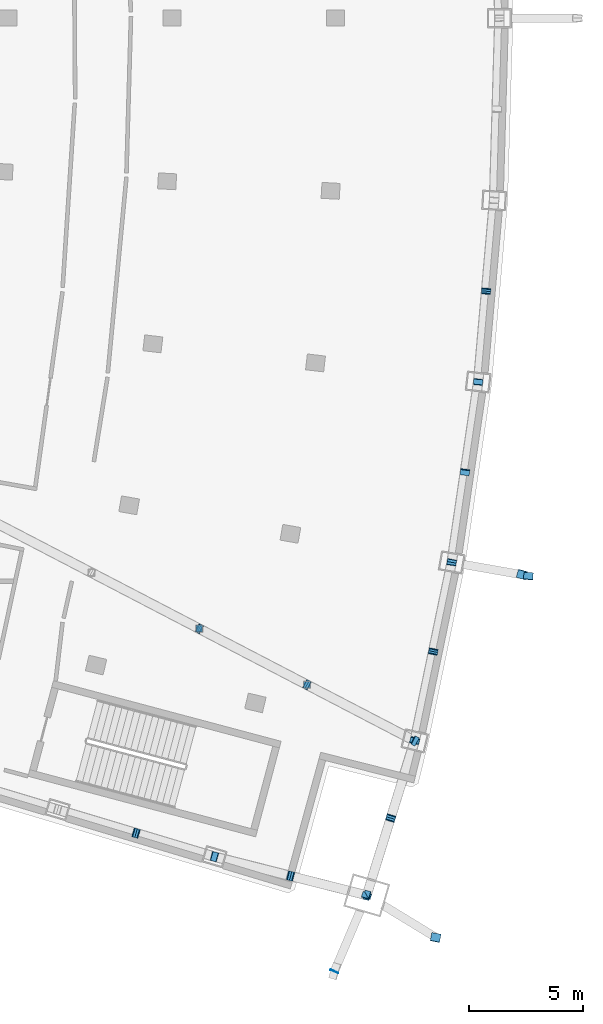
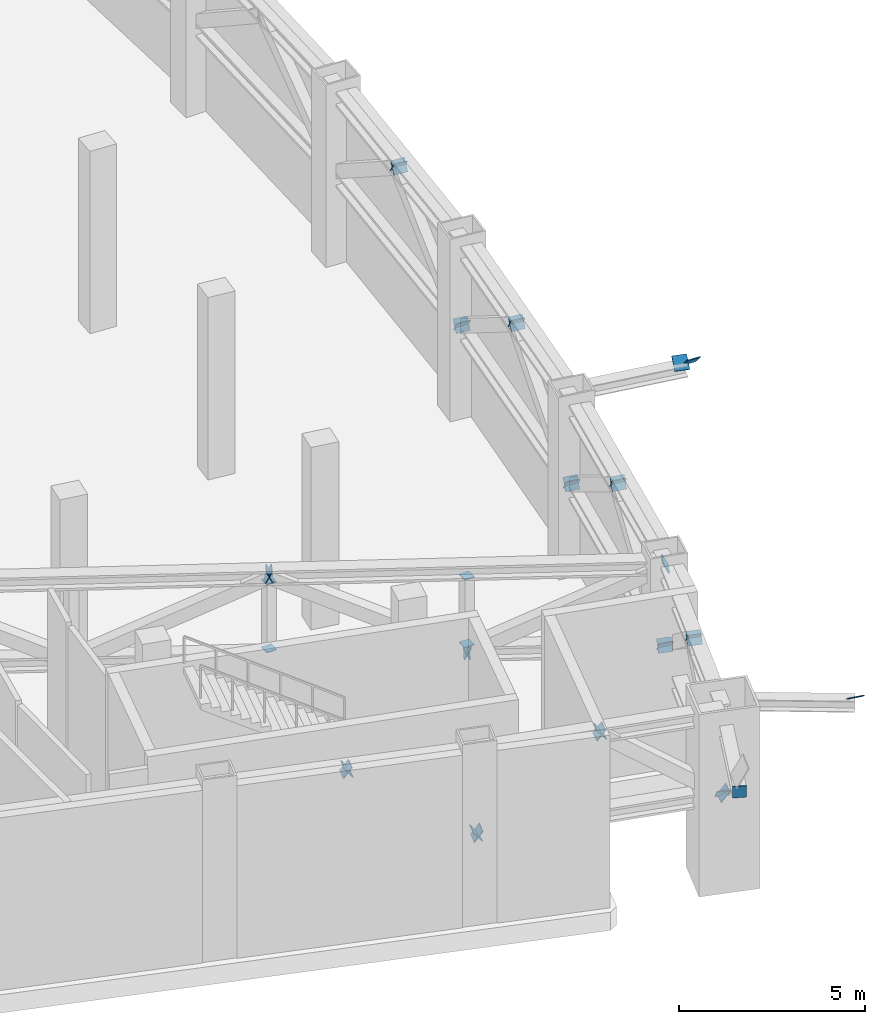
# One storey, part 19 of 23: 35 discrete accessories.
"""IFC4 building model written with IfcOpenShell, lengths in metres."""

from ifc_helpers import new_model, si_unit, direction, frame, origin, origin_2d, place, context, subcontext, project, spatial, rectangle, extrude, material, material_profile, profile_set, type_object, element, save


model = new_model("IFC4")

# Units and contexts
model_context = context("Model", 3, precision=1e-05, world=origin(), true_north=direction((0.0, 1.0)))
body_context = subcontext(model_context, "Body", "Model", "MODEL_VIEW")
ifc_project = project(units=[si_unit("LENGTHUNIT", "METRE"), si_unit("AREAUNIT", "SQUARE_METRE"), si_unit("VOLUMEUNIT", "CUBIC_METRE"), si_unit("PLANEANGLEUNIT", "RADIAN"), si_unit("MASSUNIT", "GRAM", prefix="KILO")], contexts=[model_context])

# Site, building, storey
site_placement = place(None, origin())
site = spatial("IfcSite", under=ifc_project, at=site_placement, CompositionType="ELEMENT")
building_placement = place(site_placement, origin())
building = spatial("IfcBuilding", under=site, at=building_placement, Name="Alderwake Tower", CompositionType="ELEMENT")
storey_placement = place(building_placement, frame((0.0, 0.0, 239.60009765625)))
storey = spatial("IfcBuildingStorey", under=building, at=storey_placement, Name="L59", CompositionType="ELEMENT", Elevation=239.60009765625)

# Discrete accessories
ifc_material_1 = material(Name="Steel ASTM A572 Grade 50", Category="steel")
ifc_material_profile_1 = material_profile(ifc_material_1, rectangle(XDim=0.3046875, YDim=0.3046875, at=origin_2d()), Name="HSS12X12X1/2 cap")
ifc_profile_set_1 = profile_set([ifc_material_profile_1], Name="Steel ASTM A572 Grade 50")
discrete_accessory_type_1 = type_object("IfcDiscreteAccessoryType", Name="End cap plate HSS12X12X1/2", PredefinedType="USERDEFINED", material=ifc_profile_set_1)
discrete_accessory_1_placement = place(storey_placement, frame((44.20361328125, 34.158935546875, 3.014404296875), z_axis=(0.0, 0.0, -1.0), x_axis=(1.0, 0.0, 0.0)))
element("IfcDiscreteAccessory", 1, at=discrete_accessory_1_placement, inside=storey, type_object=discrete_accessory_type_1, Name="End cap OR59SF.P3 S", ObjectType="END CAP", PredefinedType="USERDEFINED", context=body_context, shape_type="SweptSolid", body=[
    extrude(rectangle(XDim=0.3046875, YDim=0.3046875, at=origin_2d()), origin(), (0.0, 0.0, 1.0), 0.02978515625),
])
discrete_accessory_2_placement = place(storey_placement, frame((44.20361328125, 34.158935546875, 5.21533203125), z_axis=(0.0, 0.0, 1.0), x_axis=(1.0, 0.0, 0.0)))
element("IfcDiscreteAccessory", 2, at=discrete_accessory_2_placement, inside=storey, type_object=discrete_accessory_type_1, Name="End cap OR59SF.P3 N", ObjectType="END CAP", PredefinedType="USERDEFINED", context=body_context, shape_type="SweptSolid", body=[
    extrude(rectangle(XDim=0.3046875, YDim=0.3046875, at=origin_2d()), origin(), (0.0, 0.0, 1.0), 0.030029296875),
])
discrete_accessory_3_placement = place(storey_placement, frame((48.940185546875, 31.694580078125, 3.014404296875), z_axis=(0.0, 0.0, -1.0), x_axis=(1.0, 0.0, 0.0)))
element("IfcDiscreteAccessory", 3, at=discrete_accessory_3_placement, inside=storey, type_object=discrete_accessory_type_1, Name="End cap OR59SF.P4 S", ObjectType="END CAP", PredefinedType="USERDEFINED", context=body_context, shape_type="SweptSolid", body=[
    extrude(rectangle(XDim=0.3046875, YDim=0.3046875, at=origin_2d()), origin(), (0.0, 0.0, 1.0), 0.02978515625),
])
discrete_accessory_4_placement = place(storey_placement, frame((48.940185546875, 31.694580078125, 5.21533203125), z_axis=(0.0, 0.0, 1.0), x_axis=(1.0, 0.0, 0.0)))
element("IfcDiscreteAccessory", 4, at=discrete_accessory_4_placement, inside=storey, type_object=discrete_accessory_type_1, Name="End cap OR59SF.P4 N", ObjectType="END CAP", PredefinedType="USERDEFINED", context=body_context, shape_type="SweptSolid", body=[
    extrude(rectangle(XDim=0.3046875, YDim=0.3046875, at=origin_2d()), origin(), (0.0, 0.0, 1.0), 0.030029296875),
])
ifc_material_2 = material(Name="Steel ASTM A572 Grade 50", Category="steel")
ifc_material_profile_2 = material_profile(ifc_material_2, rectangle(XDim=0.406494140625, YDim=0.406494140625, at=origin_2d()), Name="HSS16X16X5/8 cap")
ifc_profile_set_2 = profile_set([ifc_material_profile_2], Name="Steel ASTM A572 Grade 50")
discrete_accessory_type_2 = type_object("IfcDiscreteAccessoryType", Name="End cap plate HSS16X16X5/8", PredefinedType="USERDEFINED", material=ifc_profile_set_2)
for number, where, z_axis, x_axis, name in (
    (5, (51.565185546875, 22.43798828125, 2.7822265625), (-0.235585570324, -0.763622193465, -0.601149386345), (0.955558946739, -0.29480010059, 0.0), "End cap BT59F02.D1 S"),
    (6, (52.620849609375, 25.833984375, 5.447509765625), (0.235585570324, 0.763622193465, 0.601149386345), (-0.955558946739, 0.29480010059, 0.0), "End cap BT59F02.D1 N"),
    (7, (53.676513671875, 29.22998046875, 2.7822265625), (0.235585570324, 0.763622193465, -0.601149386345), (-0.955558946739, 0.29480010059, 0.0), "End cap BT59F02.D2 S"),
    (8, (52.620849609375, 25.833984375, 5.447509765625), (-0.235585570324, -0.763622193465, 0.601149386345), (0.955558946739, -0.29480010059, 0.0), "End cap BT59F02.D2 N"),
    (9, (53.676513671875, 29.22998046875, 2.7822265625), (-0.171093979101, -0.814733233815, -0.554018598995), (0.978653496602, -0.205517234286, 0.0), "End cap BT59F03.D1 S"),
    (10, (54.489013671875, 33.15380859375, 5.447509765625), (0.171093979101, 0.814733233815, 0.554018598995), (-0.978653496602, 0.205517234286, 0.0), "End cap BT59F03.D1 N"),
    (11, (55.301513671875, 37.077392578125, 2.7822265625), (0.162088179695, 0.818545307458, -0.551099810962), (-0.98095245073, 0.194248010046, 0.0), "End cap BT59F03.D2 S"),
    (12, (54.489013671875, 33.15380859375, 5.447509765625), (-0.171093979101, -0.814733233815, 0.554018598995), (0.978653496602, -0.205517234286, 0.0), "End cap BT59F03.D2 N"),
    (13, (55.301513671875, 37.077392578125, 2.7822265625), (-0.122270871891, -0.823290537399, -0.554294619239), (0.989150815738, -0.146903586496, 0.0), "End cap BT59F04.D1 S"),
    (14, (55.8837890625, 41.0419921875, 5.447509765625), (0.114229588585, 0.824084889074, 0.554829430268), (-0.990529357563, 0.137301099068, 0.0), "End cap BT59F04.D1 N"),
    (15, (56.466064453125, 45.00634765625, 2.7822265625), (0.114229588585, 0.824084889074, -0.554829430268), (-0.990529357563, 0.137301099068, 0.0), "End cap BT59F04.D2 S"),
):
    element("IfcDiscreteAccessory", number, at=place(storey_placement, frame(where, z_axis=z_axis, x_axis=x_axis)), inside=storey, type_object=discrete_accessory_type_2, Name=name, ObjectType="END CAP", PredefinedType="USERDEFINED", context=body_context, shape_type="SweptSolid", body=[
        extrude(rectangle(XDim=0.406494140625, YDim=0.406494140625, at=origin_2d()), origin(), (0.0, 0.0, 1.0), 0.030029296875),
    ])
discrete_accessory_5_placement = place(storey_placement, frame((55.8837890625, 41.0419921875, 5.447509765625), z_axis=(-0.12145450377, -0.825890625634, 0.550593750423), x_axis=(0.989359135365, -0.145493990495, 0.0)))
element("IfcDiscreteAccessory", 16, at=discrete_accessory_5_placement, inside=storey, type_object=discrete_accessory_type_2, Name="End cap BT59F04.D2 N", ObjectType="END CAP", PredefinedType="USERDEFINED", context=body_context, shape_type="SweptSolid", body=[
    extrude(rectangle(XDim=0.406494140625, YDim=0.406494140625, at=origin_2d()), origin(), (0.0, 0.0, 1.0), 0.0302734375),
])
for number, where, z_axis, x_axis, name in (
    (17, (56.466064453125, 45.00634765625, 2.7822265625), (-0.073219144265, -0.829816968337, -0.553211312225), (0.996129850025, -0.087893810296, 0.0), "End cap BT59F05.D1 S"),
    (18, (56.816162109375, 48.997802734375, 5.447509765625), (0.073219144265, 0.829816968337, 0.553211312225), (-0.996129850025, 0.087893810296, 0.0), "End cap BT59F05.D1 N"),
    (19, (56.816162109375, 48.997802734375, 5.447509765625), (-0.073219144265, -0.829816968337, 0.553211312225), (0.996129850025, -0.087893810296, 0.0), "End cap BT59F05.D2 N"),
):
    element("IfcDiscreteAccessory", number, at=place(storey_placement, frame(where, z_axis=z_axis, x_axis=x_axis)), inside=storey, type_object=discrete_accessory_type_2, Name=name, ObjectType="END CAP", PredefinedType="USERDEFINED", context=body_context, shape_type="SweptSolid", body=[
        extrude(rectangle(XDim=0.406494140625, YDim=0.406494140625, at=origin_2d()), origin(), (0.0, 0.0, 1.0), 0.030029296875),
    ])
discrete_accessory_6_placement = place(storey_placement, frame((41.42431640625, 25.17138671875, 5.447509765625), z_axis=(0.768406241374, -0.226477629037, 0.598548019597), x_axis=(0.282712925106, 0.959204567325, 0.0)))
element("IfcDiscreteAccessory", 20, at=discrete_accessory_6_placement, inside=storey, type_object=discrete_accessory_type_2, Name="End cap BT59E023.D1 N", ObjectType="END CAP", PredefinedType="USERDEFINED", context=body_context, shape_type="SweptSolid", body=[
    extrude(rectangle(XDim=0.406494140625, YDim=0.406494140625, at=origin_2d()), origin(), (0.0, 0.0, 1.0), 0.0302734375),
])
discrete_accessory_7_placement = place(storey_placement, frame((44.872314453125, 24.13623046875, 2.7822265625), z_axis=(0.772128094399, -0.227574596244, -0.593319483065), x_axis=(0.282712925106, 0.959204567325, 0.0)))
element("IfcDiscreteAccessory", 21, at=discrete_accessory_7_placement, inside=storey, type_object=discrete_accessory_type_2, Name="End cap BT59E023.D2 S", ObjectType="END CAP", PredefinedType="USERDEFINED", context=body_context, shape_type="SweptSolid", body=[
    extrude(rectangle(XDim=0.406494140625, YDim=0.406494140625, at=origin_2d()), origin(), (0.0, 0.0, 1.0), 0.030029296875),
])
discrete_accessory_8_placement = place(storey_placement, frame((41.42431640625, 25.17138671875, 5.447509765625), z_axis=(-0.768406241374, 0.226477629037, 0.598548019597), x_axis=(-0.282712925106, -0.959204567325, 0.0)))
element("IfcDiscreteAccessory", 22, at=discrete_accessory_8_placement, inside=storey, type_object=discrete_accessory_type_2, Name="End cap BT59E023.D2 N", ObjectType="END CAP", PredefinedType="USERDEFINED", context=body_context, shape_type="SweptSolid", body=[
    extrude(rectangle(XDim=0.406494140625, YDim=0.406494140625, at=origin_2d()), origin(), (0.0, 0.0, 1.0), 0.0302734375),
])
for number, where, z_axis, x_axis, name in (
    (23, (44.872314453125, 24.13623046875, 2.7822265625), (-0.766561941972, 0.195717942631, -0.611618570722), (-0.247383245266, -0.968917710624, 0.0), "End cap BT59E024.D1 S"),
    (24, (48.21875, 23.287109375, 5.447509765625), (0.766561941972, -0.195717942631, 0.611618570722), (0.247383245266, 0.968917710624, 0.0), "End cap BT59E024.D1 N"),
    (25, (51.565185546875, 22.43798828125, 2.7822265625), (0.766561941972, -0.195717942631, -0.611618570722), (0.247383245266, 0.968917710624, 0.0), "End cap BT59E024.D2 S"),
    (26, (48.21875, 23.287109375, 5.447509765625), (-0.766561941972, 0.195717942631, 0.611618570722), (-0.247383245266, -0.968917710624, 0.0), "End cap BT59E024.D2 N"),
    (27, (44.20361328125, 34.158935546875, 5.447509765625), (0.791079295401, -0.415928289335, 0.448550115949), (0.465370309963, 0.885116079734, 0.0), "End cap OR59SF.D3 N"),
    (28, (48.940185546875, 31.694580078125, 2.7822265625), (0.791079295401, -0.415928289335, -0.448550115949), (0.465370309963, 0.885116079734, 0.0), "End cap OR59SF.D4 S"),
    (29, (44.20361328125, 34.158935546875, 5.447509765625), (-0.79410169684, 0.413257005498, 0.445669319655), (-0.461637716615, -0.887068553495, 0.0), "End cap OR59SF.D4 N"),
    (30, (48.940185546875, 31.694580078125, 2.7822265625), (-0.79674796748, 0.406504065041, -0.447154471545), (-0.454470341688, -0.890761869708, 0.0), "End cap OR59SF.D5 S"),
    (31, (53.676513671875, 29.22998046875, 5.447509765625), (0.79674796748, -0.406504065041, 0.447154471545), (0.454470341688, 0.890761869708, 0.0), "End cap OR59SF.D5 N"),
):
    element("IfcDiscreteAccessory", number, at=place(storey_placement, frame(where, z_axis=z_axis, x_axis=x_axis)), inside=storey, type_object=discrete_accessory_type_2, Name=name, ObjectType="END CAP", PredefinedType="USERDEFINED", context=body_context, shape_type="SweptSolid", body=[
        extrude(rectangle(XDim=0.406494140625, YDim=0.406494140625, at=origin_2d()), origin(), (0.0, 0.0, 1.0), 0.030029296875),
    ])
ifc_material_3 = material(Name="Steel ASTM A572 Grade 50", Category="steel")
ifc_material_profile_3 = material_profile(ifc_material_3, rectangle(XDim=0.3740234375, YDim=0.372314453125, at=origin_2d()), Name="W14X132 cap")
ifc_profile_set_3 = profile_set([ifc_material_profile_3], Name="Steel ASTM A572 Grade 50")
discrete_accessory_type_3 = type_object("IfcDiscreteAccessoryType", Name="End cap plate W14X132", PredefinedType="USERDEFINED", material=ifc_profile_set_3)
discrete_accessory_9_placement = place(storey_placement, frame((50.150146484375, 19.106201171875, 5.34375), z_axis=(-0.39096815767, -0.920404204515, 0.0), x_axis=(0.920404204515, -0.39096815767, 0.0)))
element("IfcDiscreteAccessory", 32, at=discrete_accessory_9_placement, inside=storey, type_object=discrete_accessory_type_3, Name="End cap BS.SR02-C5.2456 N", ObjectType="END CAP", PredefinedType="USERDEFINED", context=body_context, shape_type="SweptSolid", body=[
    extrude(rectangle(XDim=0.3740234375, YDim=0.372314453125, at=origin_2d()), origin(), (0.0, 0.0, 1.0), 0.030029296875),
])
ifc_material_4 = material(Name="Steel ASTM A572 Grade 50", Category="steel")
ifc_material_profile_4 = material_profile(ifc_material_4, rectangle(XDim=0.41552734375, YDim=0.445556640625, at=origin_2d()), Name="W14X342 cap")
ifc_profile_set_4 = profile_set([ifc_material_profile_4], Name="Steel ASTM A572 Grade 50")
discrete_accessory_type_4 = type_object("IfcDiscreteAccessoryType", Name="End cap plate W14X342", PredefinedType="USERDEFINED", material=ifc_profile_set_4)
for number, where, z_axis, x_axis, name in (
    (33, (54.598876953125, 20.589599609375, 6.0), (-0.113821138211, -0.593495934959, -0.79674796748), (0.982102279235, -0.188348382319, 0.0), "End cap BRF5.1.2A S"),
    (34, (58.3876953125, 36.531982421875, 6.0), (0.163054916972, 0.578844955251, -0.798969093164), (-0.962540441845, 0.271138152632, 0.0), "End cap BRF5.1.2B1 S"),
    (35, (58.67578125, 36.48095703125, 6.0), (-0.040538023649, -0.745899635135, -0.664823587837), (0.998526420466, -0.054267740243, 0.0), "End cap BRF5.1.4A S"),
):
    element("IfcDiscreteAccessory", number, at=place(storey_placement, frame(where, z_axis=z_axis, x_axis=x_axis)), inside=storey, type_object=discrete_accessory_type_4, Name=name, ObjectType="END CAP", PredefinedType="USERDEFINED", context=body_context, shape_type="SweptSolid", body=[
        extrude(rectangle(XDim=0.41552734375, YDim=0.445556640625, at=origin_2d()), origin(), (0.0, 0.0, 1.0), 0.030029296875),
    ])

save(model, "model.ifc")
